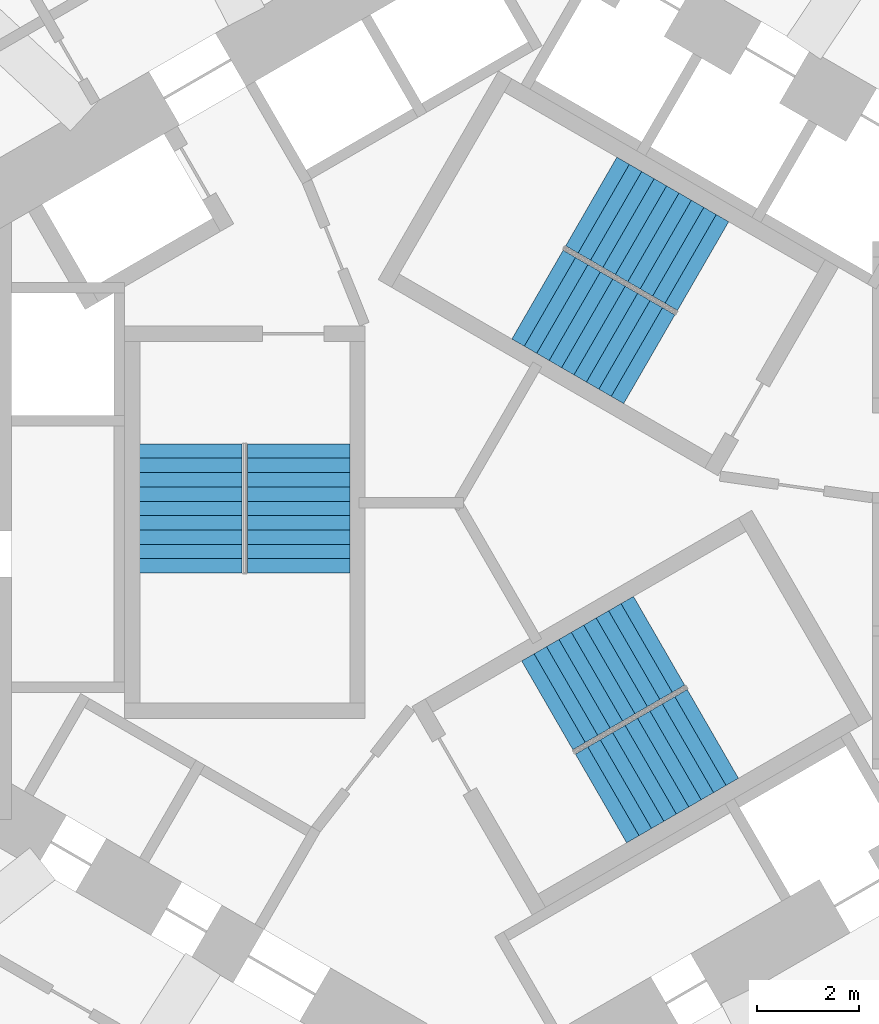
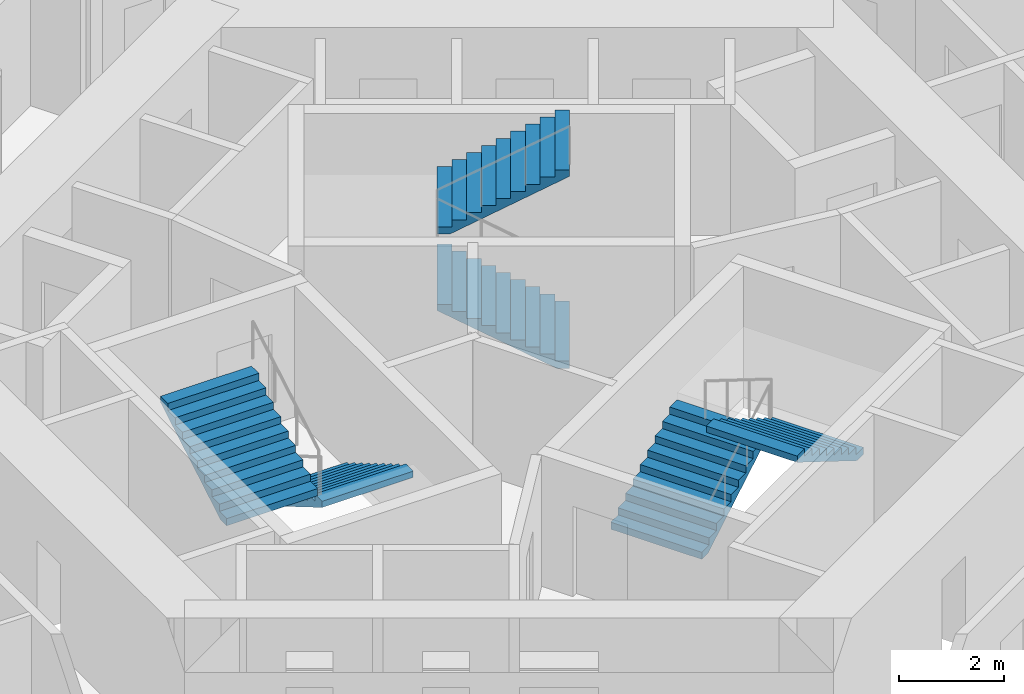
# One storey, part 10 of 12: 6 stair flights, 3 elements without a shape of their own.
"""IFC4 building model written with IfcOpenShell, lengths in metres."""

from ifc_helpers import new_model, si_unit, direction, frame, origin, place, context, subcontext, project, spatial, triangles, source, transform, mapped, material, type_object, element, aggregate, save


model = new_model("IFC4")

# Units and contexts
model_context = context("Model", 3, precision=1e-05, world=origin(), true_north=direction((0.0, 1.0)))
body_context = subcontext(model_context, "Body", "Model", "MODEL_VIEW")
ifc_project = project(units=[si_unit("LENGTHUNIT", "METRE"), si_unit("AREAUNIT", "SQUARE_METRE"), si_unit("VOLUMEUNIT", "CUBIC_METRE"), si_unit("PLANEANGLEUNIT", "RADIAN"), si_unit("MASSUNIT", "GRAM", prefix="KILO")], contexts=[model_context])

# Site, building, storey
site_placement = place(None, origin())
site = spatial("IfcSite", under=ifc_project, at=site_placement, CompositionType="ELEMENT")
building_placement = place(site_placement, origin())
building = spatial("IfcBuilding", under=site, at=building_placement, Name="Vanh Sen Convention Tower", CompositionType="ELEMENT")
storey_placement = place(building_placement, frame((0.0, 0.0, 103.39990234375)))
storey = spatial("IfcBuildingStorey", under=building, at=storey_placement, Name="L24", CompositionType="ELEMENT", Elevation=103.39990234375)

# Stair, stair flights
ifc_material_1 = material(Name="Concrete C50/60", Category="concrete")
stair_type_1 = type_object("IfcStairType", Name="Exit stair ST1 20 risers at 165.0", PredefinedType="HALF_TURN_STAIR", material=ifc_material_1)
stair_1_placement = place(storey_placement, origin())
stair_1 = element("IfcStair", 1, at=stair_1_placement, inside=storey, type_object=stair_type_1, Name="Exit stair ST1 L24", PredefinedType="HALF_TURN_STAIR")
ifc_material_2 = material(Name="Concrete C40/50", Category="concrete")
stair_flight_type = type_object("IfcStairFlightType", Name="Stair flight 2000", PredefinedType="STRAIGHT", material=ifc_material_2)
shared_shape = source(origin(), body_context, "Body", "Tessellation", [
    triangles([(0.24609375, 1.0, 0.0), (0.0, 1.0, 0.0), (0.0, 1.0, 0.1650390625), (0.280029296875, 1.0, 0.1650390625), (0.280029296875, 1.0, 0.330078125), (0.56005859375, 1.0, 0.330078125), (0.56005859375, 1.0, 0.4951171875), (0.840087890625, 1.0, 0.4951171875), (0.840087890625, 1.0, 0.659912109375), (1.1201171875, 1.0, 0.659912109375), (1.1201171875, 1.0, 0.824951171875), (1.39990234375, 1.0, 0.824951171875), (1.39990234375, 1.0, 0.989990234375), (1.679931640625, 1.0, 0.989990234375), (1.679931640625, 1.0, 1.155029296875), (1.9599609375, 1.0, 1.155029296875), (1.9599609375, 1.0, 1.320068359375), (2.239990234375, 1.0, 1.320068359375), (2.239990234375, 1.0, 1.485107421875), (2.52001953125, 1.0, 1.485107421875), (2.52001953125, 1.0, 1.33984375), (0.24609375, -1.0, 0.0), (0.0, -1.0, 0.0), (0.0, -1.0, 0.1650390625), (0.280029296875, -1.0, 0.1650390625), (0.280029296875, -1.0, 0.330078125), (0.56005859375, -1.0, 0.330078125), (0.56005859375, -1.0, 0.4951171875), (0.840087890625, -1.0, 0.4951171875), (0.840087890625, -1.0, 0.659912109375), (1.1201171875, -1.0, 0.659912109375), (1.1201171875, -1.0, 0.824951171875), (1.39990234375, -1.0, 0.824951171875), (1.39990234375, -1.0, 0.989990234375), (1.679931640625, -1.0, 0.989990234375), (1.679931640625, -1.0, 1.155029296875), (1.9599609375, -1.0, 1.155029296875), (1.9599609375, -1.0, 1.320068359375), (2.239990234375, -1.0, 1.320068359375), (2.239990234375, -1.0, 1.485107421875), (2.52001953125, -1.0, 1.485107421875), (2.52001953125, -1.0, 1.33984375), (0.0, 0.0400390625, 0.0), (0.0, 0.0390625, 0.0), (0.0, 0.0380859375, 0.0), (0.0, 0.037109375, 0.0), (0.0, 0.035888671875, 0.0), (0.0, 0.034912109375, 0.0), (0.0, 0.033935546875, 0.0), (0.0, 0.032958984375, 0.0), (0.0, 0.031982421875, 0.0), (0.0, 0.031005859375, 0.0), (0.0, 0.030029296875, 0.0), (0.0, 0.029052734375, 0.0), (0.0, 0.028076171875, 0.0), (0.0, 0.027099609375, 0.0), (0.0, 0.02587890625, 0.0), (0.0, 0.02490234375, 0.0), (0.0, 0.02392578125, 0.0), (0.0, 0.02294921875, 0.0), (0.0, 0.02197265625, 0.0), (0.0, 0.02099609375, 0.0), (0.0, 0.02001953125, 0.0), (0.0, 0.01904296875, 0.0), (0.0, 0.01806640625, 0.0), (0.0, 0.01708984375, 0.0), (0.0, 0.01611328125, 0.0), (0.0, 0.014892578125, 0.0), (0.0, 0.013916015625, 0.0), (0.0, 0.012939453125, 0.0), (0.0, 0.011962890625, 0.0), (0.0, 0.010986328125, 0.0), (0.0, 0.010009765625, 0.0), (0.0, 0.009033203125, 0.0), (0.0, 0.008056640625, 0.0), (0.0, 0.007080078125, 0.0), (0.0, 0.006103515625, 0.0), (0.0, 0.0048828125, 0.0), (0.0, 0.00390625, 0.0), (0.0, 0.0029296875, 0.0), (0.0, 0.001953125, 0.0), (0.0, 0.0009765625, 0.0), (0.0, 0.0, 0.0), (0.0, -0.0009765625, 0.0), (0.0, -0.001953125, 0.0), (0.0, -0.0029296875, 0.0), (0.0, -0.00390625, 0.0), (0.0, -0.0048828125, 0.0), (0.0, -0.006103515625, 0.0), (0.0, -0.007080078125, 0.0), (0.0, -0.008056640625, 0.0), (0.0, -0.009033203125, 0.0), (0.0, -0.010009765625, 0.0), (0.0, -0.010986328125, 0.0), (0.0, -0.011962890625, 0.0), (0.0, -0.012939453125, 0.0), (0.0, -0.013916015625, 0.0), (0.0, -0.014892578125, 0.0), (0.0, -0.01611328125, 0.0), (0.0, -0.01708984375, 0.0), (0.0, -0.01806640625, 0.0), (0.0, -0.01904296875, 0.0), (0.0, -0.02001953125, 0.0), (0.0, -0.02099609375, 0.0), (0.0, -0.02197265625, 0.0), (0.0, -0.02294921875, 0.0), (0.0, -0.02392578125, 0.0), (0.0, -0.02490234375, 0.0), (0.0, -0.02587890625, 0.0), (0.0, -0.027099609375, 0.0), (0.0, -0.028076171875, 0.0), (0.0, -0.029052734375, 0.0), (0.0, -0.030029296875, 0.0), (0.0, -0.031005859375, 0.0), (0.0, -0.031982421875, 0.0), (0.0, -0.032958984375, 0.0), (0.0, -0.033935546875, 0.0), (0.0, -0.034912109375, 0.0), (0.0, -0.035888671875, 0.0), (0.0, -0.037109375, 0.0), (0.0, -0.0380859375, 0.0), (0.0, -0.0390625, 0.0), (0.0, -0.0400390625, 0.0), (0.0, 0.0400390625, 0.1650390625), (0.0, 0.0390625, 0.1650390625), (0.0, 0.0380859375, 0.1650390625), (0.0, 0.037109375, 0.1650390625), (0.0, 0.035888671875, 0.1650390625), (0.0, 0.034912109375, 0.1650390625), (0.0, 0.033935546875, 0.1650390625), (0.0, 0.032958984375, 0.1650390625), (0.0, 0.031982421875, 0.1650390625), (0.0, 0.031005859375, 0.1650390625), (0.0, 0.030029296875, 0.1650390625), (0.0, 0.029052734375, 0.1650390625), (0.0, 0.028076171875, 0.1650390625), (0.0, 0.027099609375, 0.1650390625), (0.0, 0.02587890625, 0.1650390625), (0.0, 0.02490234375, 0.1650390625), (0.0, 0.02392578125, 0.1650390625), (0.0, 0.02294921875, 0.1650390625), (0.0, 0.02197265625, 0.1650390625), (0.0, 0.02099609375, 0.1650390625), (0.0, 0.02001953125, 0.1650390625), (0.0, 0.01904296875, 0.1650390625), (0.0, 0.01806640625, 0.1650390625), (0.0, 0.01708984375, 0.1650390625), (0.0, 0.01611328125, 0.1650390625), (0.0, 0.014892578125, 0.1650390625), (0.0, 0.013916015625, 0.1650390625), (0.0, 0.012939453125, 0.1650390625), (0.0, 0.011962890625, 0.1650390625), (0.0, 0.010986328125, 0.1650390625), (0.0, 0.010009765625, 0.1650390625), (0.0, 0.009033203125, 0.1650390625), (0.0, 0.008056640625, 0.1650390625), (0.0, 0.007080078125, 0.1650390625), (0.0, 0.006103515625, 0.1650390625), (0.0, 0.0048828125, 0.1650390625), (0.0, 0.00390625, 0.1650390625), (0.0, 0.0029296875, 0.1650390625), (0.0, 0.001953125, 0.1650390625), (0.0, 0.0009765625, 0.1650390625), (0.0, 0.0, 0.1650390625), (0.0, -0.0009765625, 0.1650390625), (0.0, -0.001953125, 0.1650390625), (0.0, -0.0029296875, 0.1650390625), (0.0, -0.00390625, 0.1650390625), (0.0, -0.0048828125, 0.1650390625), (0.0, -0.006103515625, 0.1650390625), (0.0, -0.007080078125, 0.1650390625), (0.0, -0.008056640625, 0.1650390625), (0.0, -0.009033203125, 0.1650390625), (0.0, -0.010009765625, 0.1650390625), (0.0, -0.010986328125, 0.1650390625), (0.0, -0.011962890625, 0.1650390625), (0.0, -0.012939453125, 0.1650390625), (0.0, -0.013916015625, 0.1650390625), (0.0, -0.014892578125, 0.1650390625), (0.0, -0.01611328125, 0.1650390625), (0.0, -0.01708984375, 0.1650390625), (0.0, -0.01806640625, 0.1650390625), (0.0, -0.01904296875, 0.1650390625), (0.0, -0.02001953125, 0.1650390625), (0.0, -0.02099609375, 0.1650390625), (0.0, -0.02197265625, 0.1650390625), (0.0, -0.02294921875, 0.1650390625), (0.0, -0.02392578125, 0.1650390625), (0.0, -0.02490234375, 0.1650390625), (0.0, -0.02587890625, 0.1650390625), (0.0, -0.027099609375, 0.1650390625), (0.0, -0.028076171875, 0.1650390625), (0.0, -0.029052734375, 0.1650390625), (0.0, -0.030029296875, 0.1650390625), (0.0, -0.031005859375, 0.1650390625), (0.0, -0.031982421875, 0.1650390625), (0.0, -0.032958984375, 0.1650390625), (0.0, -0.033935546875, 0.1650390625), (0.0, -0.034912109375, 0.1650390625), (0.0, -0.035888671875, 0.1650390625), (0.0, -0.037109375, 0.1650390625), (0.0, -0.0380859375, 0.1650390625), (0.0, -0.0390625, 0.1650390625), (0.0, -0.0400390625, 0.1650390625), (0.280029296875, 0.0, 0.1650390625), (0.280029296875, 0.0, 0.330078125), (0.56005859375, 0.0, 0.330078125), (0.56005859375, 0.0, 0.4951171875), (0.840087890625, 0.0, 0.4951171875), (0.840087890625, 0.0, 0.659912109375), (1.1201171875, 0.0, 0.659912109375), (1.1201171875, 0.0, 0.824951171875), (1.39990234375, 0.0, 0.824951171875), (1.39990234375, 0.0, 0.989990234375), (1.679931640625, 0.0, 0.989990234375), (1.679931640625, 0.0, 1.155029296875), (1.9599609375, 0.0, 1.155029296875), (1.9599609375, 0.0, 1.320068359375), (2.239990234375, 0.0, 1.320068359375), (2.239990234375, 0.0, 1.485107421875), (2.52001953125, 0.0400390625, 1.485107421875), (2.52001953125, 0.0390625, 1.485107421875), (2.52001953125, 0.0380859375, 1.485107421875), (2.52001953125, 0.037109375, 1.485107421875), (2.52001953125, 0.035888671875, 1.485107421875), (2.52001953125, 0.034912109375, 1.485107421875), (2.52001953125, 0.033935546875, 1.485107421875), (2.52001953125, 0.032958984375, 1.485107421875), (2.52001953125, 0.031982421875, 1.485107421875), (2.52001953125, 0.031005859375, 1.485107421875), (2.52001953125, 0.030029296875, 1.485107421875), (2.52001953125, 0.029052734375, 1.485107421875), (2.52001953125, 0.028076171875, 1.485107421875), (2.52001953125, 0.027099609375, 1.485107421875), (2.52001953125, 0.02587890625, 1.485107421875), (2.52001953125, 0.02490234375, 1.485107421875), (2.52001953125, 0.02392578125, 1.485107421875), (2.52001953125, 0.02294921875, 1.485107421875), (2.52001953125, 0.02197265625, 1.485107421875), (2.52001953125, 0.02099609375, 1.485107421875), (2.52001953125, 0.02001953125, 1.485107421875), (2.52001953125, 0.01904296875, 1.485107421875), (2.52001953125, 0.01806640625, 1.485107421875), (2.52001953125, 0.01708984375, 1.485107421875), (2.52001953125, 0.01611328125, 1.485107421875), (2.52001953125, 0.014892578125, 1.485107421875), (2.52001953125, 0.013916015625, 1.485107421875), (2.52001953125, 0.012939453125, 1.485107421875), (2.52001953125, 0.011962890625, 1.485107421875), (2.52001953125, 0.010986328125, 1.485107421875), (2.52001953125, 0.010009765625, 1.485107421875), (2.52001953125, 0.009033203125, 1.485107421875), (2.52001953125, 0.008056640625, 1.485107421875), (2.52001953125, 0.007080078125, 1.485107421875), (2.52001953125, 0.006103515625, 1.485107421875), (2.52001953125, 0.0048828125, 1.485107421875), (2.52001953125, 0.00390625, 1.485107421875), (2.52001953125, 0.0029296875, 1.485107421875), (2.52001953125, 0.001953125, 1.485107421875), (2.52001953125, 0.0009765625, 1.485107421875), (2.52001953125, 0.0, 1.485107421875), (2.52001953125, -0.0009765625, 1.485107421875), (2.52001953125, -0.001953125, 1.485107421875), (2.52001953125, -0.0029296875, 1.485107421875), (2.52001953125, -0.00390625, 1.485107421875), (2.52001953125, -0.0048828125, 1.485107421875), (2.52001953125, -0.006103515625, 1.485107421875), (2.52001953125, -0.007080078125, 1.485107421875), (2.52001953125, -0.008056640625, 1.485107421875), (2.52001953125, -0.009033203125, 1.485107421875), (2.52001953125, -0.010009765625, 1.485107421875), (2.52001953125, -0.010986328125, 1.485107421875), (2.52001953125, -0.011962890625, 1.485107421875), (2.52001953125, -0.012939453125, 1.485107421875), (2.52001953125, -0.013916015625, 1.485107421875), (2.52001953125, -0.014892578125, 1.485107421875), (2.52001953125, -0.01611328125, 1.485107421875), (2.52001953125, -0.01708984375, 1.485107421875), (2.52001953125, -0.01806640625, 1.485107421875), (2.52001953125, -0.01904296875, 1.485107421875), (2.52001953125, -0.02001953125, 1.485107421875), (2.52001953125, -0.02099609375, 1.485107421875), (2.52001953125, -0.02197265625, 1.485107421875), (2.52001953125, -0.02294921875, 1.485107421875), (2.52001953125, -0.02392578125, 1.485107421875), (2.52001953125, -0.02490234375, 1.485107421875), (2.52001953125, -0.02587890625, 1.485107421875), (2.52001953125, -0.027099609375, 1.485107421875), (2.52001953125, -0.028076171875, 1.485107421875), (2.52001953125, -0.029052734375, 1.485107421875), (2.52001953125, -0.030029296875, 1.485107421875), (2.52001953125, -0.031005859375, 1.485107421875), (2.52001953125, -0.031982421875, 1.485107421875), (2.52001953125, -0.032958984375, 1.485107421875), (2.52001953125, -0.033935546875, 1.485107421875), (2.52001953125, -0.034912109375, 1.485107421875), (2.52001953125, -0.035888671875, 1.485107421875), (2.52001953125, -0.037109375, 1.485107421875), (2.52001953125, -0.0380859375, 1.485107421875), (2.52001953125, -0.0390625, 1.485107421875), (2.52001953125, -0.0400390625, 1.485107421875), (2.52001953125, 0.0400390625, 1.33984375), (2.52001953125, 0.0390625, 1.33984375), (2.52001953125, 0.0380859375, 1.33984375), (2.52001953125, 0.037109375, 1.33984375), (2.52001953125, 0.035888671875, 1.33984375), (2.52001953125, 0.034912109375, 1.33984375), (2.52001953125, 0.033935546875, 1.33984375), (2.52001953125, 0.032958984375, 1.33984375), (2.52001953125, 0.031982421875, 1.33984375), (2.52001953125, 0.031005859375, 1.33984375), (2.52001953125, 0.030029296875, 1.33984375), (2.52001953125, 0.029052734375, 1.33984375), (2.52001953125, 0.028076171875, 1.33984375), (2.52001953125, 0.027099609375, 1.33984375), (2.52001953125, 0.02587890625, 1.33984375), (2.52001953125, 0.02490234375, 1.33984375), (2.52001953125, 0.02392578125, 1.33984375), (2.52001953125, 0.02294921875, 1.33984375), (2.52001953125, 0.02197265625, 1.33984375), (2.52001953125, 0.02099609375, 1.33984375), (2.52001953125, 0.02001953125, 1.33984375), (2.52001953125, 0.01904296875, 1.33984375), (2.52001953125, 0.01806640625, 1.33984375), (2.52001953125, 0.01708984375, 1.33984375), (2.52001953125, 0.01611328125, 1.33984375), (2.52001953125, 0.014892578125, 1.33984375), (2.52001953125, 0.013916015625, 1.33984375), (2.52001953125, 0.012939453125, 1.33984375), (2.52001953125, 0.011962890625, 1.33984375), (2.52001953125, 0.010986328125, 1.33984375), (2.52001953125, 0.010009765625, 1.33984375), (2.52001953125, 0.009033203125, 1.33984375), (2.52001953125, 0.008056640625, 1.33984375), (2.52001953125, 0.007080078125, 1.33984375), (2.52001953125, 0.006103515625, 1.33984375), (2.52001953125, 0.0048828125, 1.33984375), (2.52001953125, 0.00390625, 1.33984375), (2.52001953125, 0.0029296875, 1.33984375), (2.52001953125, 0.001953125, 1.33984375), (2.52001953125, 0.0009765625, 1.33984375), (2.52001953125, 0.0, 1.33984375), (2.52001953125, -0.0009765625, 1.33984375), (2.52001953125, -0.001953125, 1.33984375), (2.52001953125, -0.0029296875, 1.33984375), (2.52001953125, -0.00390625, 1.33984375), (2.52001953125, -0.0048828125, 1.33984375), (2.52001953125, -0.006103515625, 1.33984375), (2.52001953125, -0.007080078125, 1.33984375), (2.52001953125, -0.008056640625, 1.33984375), (2.52001953125, -0.009033203125, 1.33984375), (2.52001953125, -0.010009765625, 1.33984375), (2.52001953125, -0.010986328125, 1.33984375), (2.52001953125, -0.011962890625, 1.33984375), (2.52001953125, -0.012939453125, 1.33984375), (2.52001953125, -0.013916015625, 1.33984375), (2.52001953125, -0.014892578125, 1.33984375), (2.52001953125, -0.01611328125, 1.33984375), (2.52001953125, -0.01708984375, 1.33984375), (2.52001953125, -0.01806640625, 1.33984375), (2.52001953125, -0.01904296875, 1.33984375), (2.52001953125, -0.02001953125, 1.33984375), (2.52001953125, -0.02099609375, 1.33984375), (2.52001953125, -0.02197265625, 1.33984375), (2.52001953125, -0.02294921875, 1.33984375), (2.52001953125, -0.02392578125, 1.33984375), (2.52001953125, -0.02490234375, 1.33984375), (2.52001953125, -0.02587890625, 1.33984375), (2.52001953125, -0.027099609375, 1.33984375), (2.52001953125, -0.028076171875, 1.33984375), (2.52001953125, -0.029052734375, 1.33984375), (2.52001953125, -0.030029296875, 1.33984375), (2.52001953125, -0.031005859375, 1.33984375), (2.52001953125, -0.031982421875, 1.33984375), (2.52001953125, -0.032958984375, 1.33984375), (2.52001953125, -0.033935546875, 1.33984375), (2.52001953125, -0.034912109375, 1.33984375), (2.52001953125, -0.035888671875, 1.33984375), (2.52001953125, -0.037109375, 1.33984375), (2.52001953125, -0.0380859375, 1.33984375), (2.52001953125, -0.0390625, 1.33984375), (2.52001953125, -0.0400390625, 1.33984375), (0.24609375, 0.0, 0.0)], [[1, 2, 3], [1, 3, 4], [4, 5, 6], [1, 4, 6], [6, 7, 8], [1, 6, 8], [8, 9, 10], [1, 8, 10], [10, 11, 12], [1, 10, 12], [12, 13, 14], [1, 12, 14], [14, 15, 16], [1, 14, 16], [16, 17, 18], [1, 16, 18], [18, 19, 20], [1, 18, 20], [20, 21, 1], [22, 24, 23], [22, 25, 24], [25, 27, 26], [22, 27, 25], [27, 29, 28], [22, 29, 27], [29, 31, 30], [22, 31, 29], [31, 33, 32], [22, 33, 31], [33, 35, 34], [22, 35, 33], [35, 37, 36], [22, 37, 35], [37, 39, 38], [22, 39, 37], [39, 41, 40], [22, 41, 39], [41, 22, 42], [2, 124, 3], [2, 43, 124], [43, 125, 124], [43, 44, 125], [44, 126, 125], [44, 45, 126], [45, 127, 126], [45, 46, 127], [46, 128, 127], [46, 47, 128], [47, 129, 128], [47, 48, 129], [48, 130, 129], [48, 49, 130], [49, 131, 130], [49, 50, 131], [50, 132, 131], [50, 51, 132], [51, 133, 132], [51, 52, 133], [52, 134, 133], [52, 53, 134], [53, 135, 134], [53, 54, 135], [54, 136, 135], [54, 55, 136], [55, 137, 136], [55, 56, 137], [56, 138, 137], [56, 57, 138], [57, 139, 138], [57, 58, 139], [58, 140, 139], [58, 59, 140], [59, 141, 140], [59, 60, 141], [60, 142, 141], [60, 61, 142], [61, 143, 142], [61, 62, 143], [62, 144, 143], [62, 63, 144], [63, 145, 144], [63, 64, 145], [64, 146, 145], [64, 65, 146], [65, 147, 146], [65, 66, 147], [66, 148, 147], [66, 67, 148], [67, 149, 148], [67, 68, 149], [68, 150, 149], [68, 69, 150], [69, 151, 150], [69, 70, 151], [70, 152, 151], [70, 71, 152], [71, 153, 152], [71, 72, 153], [72, 154, 153], [72, 73, 154], [73, 155, 154], [73, 74, 155], [74, 156, 155], [74, 75, 156], [75, 157, 156], [75, 76, 157], [76, 158, 157], [76, 77, 158], [77, 159, 158], [77, 78, 159], [78, 160, 159], [78, 79, 160], [79, 161, 160], [79, 80, 161], [80, 162, 161], [80, 81, 162], [81, 163, 162], [81, 82, 163], [82, 164, 163], [82, 83, 164], [83, 84, 164], [164, 84, 165], [84, 85, 165], [165, 85, 166], [85, 86, 166], [166, 86, 167], [86, 87, 167], [167, 87, 168], [87, 88, 168], [168, 88, 169], [88, 89, 169], [169, 89, 170], [89, 90, 170], [170, 90, 171], [90, 91, 171], [171, 91, 172], [91, 92, 172], [172, 92, 173], [92, 93, 173], [173, 93, 174], [93, 94, 174], [174, 94, 175], [94, 95, 175], [175, 95, 176], [95, 96, 176], [176, 96, 177], [96, 97, 177], [177, 97, 178], [97, 98, 178], [178, 98, 179], [98, 99, 179], [179, 99, 180], [99, 100, 180], [180, 100, 181], [100, 101, 181], [181, 101, 182], [101, 102, 182], [182, 102, 183], [102, 103, 183], [183, 103, 184], [103, 104, 184], [184, 104, 185], [104, 105, 185], [185, 105, 186], [105, 106, 186], [186, 106, 187], [106, 107, 187], [187, 107, 188], [107, 108, 188], [188, 108, 189], [108, 109, 189], [189, 109, 190], [109, 110, 190], [190, 110, 191], [110, 111, 191], [191, 111, 192], [111, 112, 192], [192, 112, 193], [112, 113, 193], [193, 113, 194], [113, 114, 194], [194, 114, 195], [114, 115, 195], [195, 115, 196], [115, 116, 196], [196, 116, 197], [116, 117, 197], [197, 117, 198], [117, 118, 198], [198, 118, 199], [118, 119, 199], [199, 119, 200], [119, 120, 200], [200, 120, 201], [120, 121, 201], [201, 121, 202], [121, 122, 202], [202, 122, 203], [122, 123, 203], [203, 123, 204], [123, 23, 204], [204, 23, 24], [4, 3, 124], [4, 124, 125], [4, 125, 126], [4, 126, 127], [4, 127, 128], [4, 128, 129], [4, 129, 130], [4, 130, 131], [4, 131, 132], [4, 132, 133], [4, 133, 134], [4, 134, 135], [4, 135, 136], [4, 136, 137], [4, 137, 138], [4, 138, 139], [4, 139, 140], [4, 140, 141], [4, 141, 142], [4, 142, 143], [4, 143, 144], [4, 144, 145], [4, 145, 146], [4, 146, 147], [4, 147, 148], [4, 148, 149], [4, 149, 150], [4, 150, 151], [4, 151, 152], [4, 152, 153], [4, 153, 154], [4, 154, 155], [4, 155, 156], [4, 156, 157], [4, 157, 158], [4, 158, 159], [4, 159, 160], [4, 160, 161], [4, 161, 162], [4, 162, 163], [4, 163, 164], [25, 164, 165], [25, 165, 166], [25, 166, 167], [25, 167, 168], [25, 168, 169], [25, 169, 170], [25, 170, 171], [25, 171, 172], [25, 172, 173], [25, 173, 174], [25, 174, 175], [25, 175, 176], [25, 176, 177], [25, 177, 178], [25, 178, 179], [25, 179, 180], [25, 180, 181], [25, 181, 182], [25, 182, 183], [25, 183, 184], [25, 184, 185], [25, 185, 186], [25, 186, 187], [25, 187, 188], [25, 188, 189], [25, 189, 190], [25, 190, 191], [25, 191, 192], [25, 192, 193], [25, 193, 194], [25, 194, 195], [25, 195, 196], [25, 196, 197], [25, 197, 198], [25, 198, 199], [25, 199, 200], [25, 200, 201], [25, 201, 202], [25, 202, 203], [25, 203, 204], [25, 204, 24], [4, 164, 205], [25, 205, 164], [4, 206, 5], [4, 205, 206], [205, 25, 206], [206, 25, 26], [5, 207, 6], [5, 206, 207], [206, 26, 207], [207, 26, 27], [6, 208, 7], [6, 207, 208], [207, 27, 208], [208, 27, 28], [7, 209, 8], [7, 208, 209], [208, 28, 209], [209, 28, 29], [8, 210, 9], [8, 209, 210], [209, 29, 210], [210, 29, 30], [9, 211, 10], [9, 210, 211], [210, 30, 211], [211, 30, 31], [10, 212, 11], [10, 211, 212], [211, 31, 212], [212, 31, 32], [11, 213, 12], [11, 212, 213], [212, 32, 213], [213, 32, 33], [12, 214, 13], [12, 213, 214], [213, 33, 214], [214, 33, 34], [13, 215, 14], [13, 214, 215], [214, 34, 215], [215, 34, 35], [14, 216, 15], [14, 215, 216], [215, 35, 216], [216, 35, 36], [15, 217, 16], [15, 216, 217], [216, 36, 217], [217, 36, 37], [16, 218, 17], [16, 217, 218], [217, 37, 218], [218, 37, 38], [17, 219, 18], [17, 218, 219], [218, 38, 219], [219, 38, 39], [18, 220, 19], [18, 219, 220], [219, 39, 220], [220, 39, 40], [19, 221, 20], [19, 222, 221], [19, 223, 222], [19, 224, 223], [19, 225, 224], [19, 226, 225], [19, 227, 226], [19, 228, 227], [19, 229, 228], [19, 230, 229], [19, 231, 230], [19, 232, 231], [19, 233, 232], [19, 234, 233], [19, 235, 234], [19, 236, 235], [19, 237, 236], [19, 238, 237], [19, 239, 238], [19, 240, 239], [19, 241, 240], [19, 242, 241], [19, 243, 242], [19, 244, 243], [19, 245, 244], [19, 246, 245], [19, 247, 246], [19, 248, 247], [19, 249, 248], [19, 250, 249], [19, 251, 250], [19, 252, 251], [19, 253, 252], [19, 254, 253], [19, 255, 254], [19, 256, 255], [19, 257, 256], [19, 258, 257], [19, 259, 258], [19, 260, 259], [19, 261, 260], [40, 262, 261], [40, 263, 262], [40, 264, 263], [40, 265, 264], [40, 266, 265], [40, 267, 266], [40, 268, 267], [40, 269, 268], [40, 270, 269], [40, 271, 270], [40, 272, 271], [40, 273, 272], [40, 274, 273], [40, 275, 274], [40, 276, 275], [40, 277, 276], [40, 278, 277], [40, 279, 278], [40, 280, 279], [40, 281, 280], [40, 282, 281], [40, 283, 282], [40, 284, 283], [40, 285, 284], [40, 286, 285], [40, 287, 286], [40, 288, 287], [40, 289, 288], [40, 290, 289], [40, 291, 290], [40, 292, 291], [40, 293, 292], [40, 294, 293], [40, 295, 294], [40, 296, 295], [40, 297, 296], [40, 298, 297], [40, 299, 298], [40, 300, 299], [40, 301, 300], [40, 41, 301], [19, 220, 261], [40, 261, 220], [20, 302, 21], [20, 221, 302], [221, 303, 302], [221, 222, 303], [222, 304, 303], [222, 223, 304], [223, 305, 304], [223, 224, 305], [224, 306, 305], [224, 225, 306], [225, 307, 306], [225, 226, 307], [226, 308, 307], [226, 227, 308], [227, 309, 308], [227, 228, 309], [228, 310, 309], [228, 229, 310], [229, 311, 310], [229, 230, 311], [230, 312, 311], [230, 231, 312], [231, 313, 312], [231, 232, 313], [232, 314, 313], [232, 233, 314], [233, 315, 314], [233, 234, 315], [234, 316, 315], [234, 235, 316], [235, 317, 316], [235, 236, 317], [236, 318, 317], [236, 237, 318], [237, 319, 318], [237, 238, 319], [238, 320, 319], [238, 239, 320], [239, 321, 320], [239, 240, 321], [240, 322, 321], [240, 241, 322], [241, 323, 322], [241, 242, 323], [242, 324, 323], [242, 243, 324], [243, 325, 324], [243, 244, 325], [244, 326, 325], [244, 245, 326], [245, 327, 326], [245, 246, 327], [246, 328, 327], [246, 247, 328], [247, 329, 328], [247, 248, 329], [248, 330, 329], [248, 249, 330], [249, 331, 330], [249, 250, 331], [250, 332, 331], [250, 251, 332], [251, 333, 332], [251, 252, 333], [252, 334, 333], [252, 253, 334], [253, 335, 334], [253, 254, 335], [254, 336, 335], [254, 255, 336], [255, 337, 336], [255, 256, 337], [256, 338, 337], [256, 257, 338], [257, 339, 338], [257, 258, 339], [258, 340, 339], [258, 259, 340], [259, 341, 340], [259, 260, 341], [260, 342, 341], [260, 261, 342], [261, 262, 342], [342, 262, 343], [262, 263, 343], [343, 263, 344], [263, 264, 344], [344, 264, 345], [264, 265, 345], [345, 265, 346], [265, 266, 346], [346, 266, 347], [266, 267, 347], [347, 267, 348], [267, 268, 348], [348, 268, 349], [268, 269, 349], [349, 269, 350], [269, 270, 350], [350, 270, 351], [270, 271, 351], [351, 271, 352], [271, 272, 352], [352, 272, 353], [272, 273, 353], [353, 273, 354], [273, 274, 354], [354, 274, 355], [274, 275, 355], [355, 275, 356], [275, 276, 356], [356, 276, 357], [276, 277, 357], [357, 277, 358], [277, 278, 358], [358, 278, 359], [278, 279, 359], [359, 279, 360], [279, 280, 360], [360, 280, 361], [280, 281, 361], [361, 281, 362], [281, 282, 362], [362, 282, 363], [282, 283, 363], [363, 283, 364], [283, 284, 364], [364, 284, 365], [284, 285, 365], [365, 285, 366], [285, 286, 366], [366, 286, 367], [286, 287, 367], [367, 287, 368], [287, 288, 368], [368, 288, 369], [288, 289, 369], [369, 289, 370], [289, 290, 370], [370, 290, 371], [290, 291, 371], [371, 291, 372], [291, 292, 372], [372, 292, 373], [292, 293, 373], [373, 293, 374], [293, 294, 374], [374, 294, 375], [294, 295, 375], [375, 295, 376], [295, 296, 376], [376, 296, 377], [296, 297, 377], [377, 297, 378], [297, 298, 378], [378, 298, 379], [298, 299, 379], [379, 299, 380], [299, 300, 380], [380, 300, 381], [300, 301, 381], [381, 301, 382], [301, 41, 382], [382, 41, 42], [1, 21, 302], [1, 302, 303], [1, 303, 304], [1, 304, 305], [1, 305, 306], [1, 306, 307], [1, 307, 308], [1, 308, 309], [1, 309, 310], [1, 310, 311], [1, 311, 312], [1, 312, 313], [1, 313, 314], [1, 314, 315], [1, 315, 316], [1, 316, 317], [1, 317, 318], [1, 318, 319], [1, 319, 320], [1, 320, 321], [1, 321, 322], [1, 322, 323], [1, 323, 324], [1, 324, 325], [1, 325, 326], [1, 326, 327], [1, 327, 328], [1, 328, 329], [1, 329, 330], [1, 330, 331], [1, 331, 332], [1, 332, 333], [1, 333, 334], [1, 334, 335], [1, 335, 336], [1, 336, 337], [1, 337, 338], [1, 338, 339], [1, 339, 340], [1, 340, 341], [1, 341, 342], [22, 342, 343], [22, 343, 344], [22, 344, 345], [22, 345, 346], [22, 346, 347], [22, 347, 348], [22, 348, 349], [22, 349, 350], [22, 350, 351], [22, 351, 352], [22, 352, 353], [22, 353, 354], [22, 354, 355], [22, 355, 356], [22, 356, 357], [22, 357, 358], [22, 358, 359], [22, 359, 360], [22, 360, 361], [22, 361, 362], [22, 362, 363], [22, 363, 364], [22, 364, 365], [22, 365, 366], [22, 366, 367], [22, 367, 368], [22, 368, 369], [22, 369, 370], [22, 370, 371], [22, 371, 372], [22, 372, 373], [22, 373, 374], [22, 374, 375], [22, 375, 376], [22, 376, 377], [22, 377, 378], [22, 378, 379], [22, 379, 380], [22, 380, 381], [22, 381, 382], [22, 382, 42], [1, 342, 383], [22, 383, 342], [1, 43, 2], [1, 44, 43], [1, 45, 44], [1, 46, 45], [1, 47, 46], [1, 48, 47], [1, 49, 48], [1, 50, 49], [1, 51, 50], [1, 52, 51], [1, 53, 52], [1, 54, 53], [1, 55, 54], [1, 56, 55], [1, 57, 56], [1, 58, 57], [1, 59, 58], [1, 60, 59], [1, 61, 60], [1, 62, 61], [1, 63, 62], [1, 64, 63], [1, 65, 64], [1, 66, 65], [1, 67, 66], [1, 68, 67], [1, 69, 68], [1, 70, 69], [1, 71, 70], [1, 72, 71], [1, 73, 72], [1, 74, 73], [1, 75, 74], [1, 76, 75], [1, 77, 76], [1, 78, 77], [1, 79, 78], [1, 80, 79], [1, 81, 80], [1, 82, 81], [1, 83, 82], [22, 84, 83], [22, 85, 84], [22, 86, 85], [22, 87, 86], [22, 88, 87], [22, 89, 88], [22, 90, 89], [22, 91, 90], [22, 92, 91], [22, 93, 92], [22, 94, 93], [22, 95, 94], [22, 96, 95], [22, 97, 96], [22, 98, 97], [22, 99, 98], [22, 100, 99], [22, 101, 100], [22, 102, 101], [22, 103, 102], [22, 104, 103], [22, 105, 104], [22, 106, 105], [22, 107, 106], [22, 108, 107], [22, 109, 108], [22, 110, 109], [22, 111, 110], [22, 112, 111], [22, 113, 112], [22, 114, 113], [22, 115, 114], [22, 116, 115], [22, 117, 116], [22, 118, 117], [22, 119, 118], [22, 120, 119], [22, 121, 120], [22, 122, 121], [22, 123, 122], [22, 23, 123], [1, 383, 83], [22, 83, 383]], closed=True),
])
stair_flight_1_placement = place(storey_placement, frame((2.94580078125, 2.802490234375, 0.0), z_axis=(0.0, 0.0, 1.0), x_axis=(-0.866025403784, 0.5, 0.0)))
stair_flight_1 = element("IfcStairFlight", 2, at=stair_flight_1_placement, type_object=stair_flight_type, Name="ST1 flight 1", NumberOfRisers=10, NumberOfTreads=9, PredefinedType="STRAIGHT", RiserHeight=0.165, TreadLength=0.28, context=body_context, shape_type="MappedRepresentation", body=[
    mapped(shared_shape, transform((0.0, 0.0, 0.0))),
])
stair_flight_2_placement = place(storey_placement, frame((1.8134765625, 5.881103515625, 1.650146484375), z_axis=(0.0, 0.0, 1.0), x_axis=(0.866025403784, -0.5, 0.0)))
stair_flight_2 = element("IfcStairFlight", 3, at=stair_flight_2_placement, type_object=stair_flight_type, Name="ST1 flight 2", NumberOfRisers=10, NumberOfTreads=9, PredefinedType="STRAIGHT", RiserHeight=0.165, TreadLength=0.28, context=body_context, shape_type="MappedRepresentation", body=[
    mapped(shared_shape, transform((0.0, 0.0, 0.0))),
])
aggregate(stair_1, [stair_flight_1, stair_flight_2])

stair_type_2 = type_object("IfcStairType", Name="Exit stair ST2 20 risers at 165.0", PredefinedType="HALF_TURN_STAIR", material=ifc_material_1)
stair_2_placement = place(storey_placement, origin())
stair_2 = element("IfcStair", 4, at=stair_2_placement, inside=storey, type_object=stair_type_2, Name="Exit stair ST2 L24", PredefinedType="HALF_TURN_STAIR")
stair_flight_3_placement = place(storey_placement, frame((-3.89990234375, 1.14990234375, 0.0), z_axis=(0.0, 0.0, 1.0), x_axis=(0.0, -1.0, 0.0)))
stair_flight_3 = element("IfcStairFlight", 5, at=stair_flight_3_placement, type_object=stair_flight_type, Name="ST2 flight 1", NumberOfRisers=10, NumberOfTreads=9, PredefinedType="STRAIGHT", RiserHeight=0.165, TreadLength=0.28, context=body_context, shape_type="MappedRepresentation", body=[
    mapped(shared_shape, transform((0.0, 0.0, 0.0))),
])
stair_flight_4_placement = place(storey_placement, frame((-6.0, -1.3701171875, 1.650146484375), z_axis=(0.0, 0.0, 1.0), x_axis=(0.0, 1.0, 0.0)))
stair_flight_4 = element("IfcStairFlight", 6, at=stair_flight_4_placement, type_object=stair_flight_type, Name="ST2 flight 2", NumberOfRisers=10, NumberOfTreads=9, PredefinedType="STRAIGHT", RiserHeight=0.165, TreadLength=0.28, context=body_context, shape_type="MappedRepresentation", body=[
    mapped(shared_shape, transform((0.0, 0.0, 0.0))),
])
aggregate(stair_2, [stair_flight_3, stair_flight_4])

stair_type_3 = type_object("IfcStairType", Name="Exit stair ST3 20 risers at 165.0", PredefinedType="HALF_TURN_STAIR", material=ifc_material_1)
stair_3_placement = place(storey_placement, origin())
stair_3 = element("IfcStair", 7, at=stair_3_placement, inside=storey, type_object=stair_type_3, Name="Exit stair ST3 L24", PredefinedType="HALF_TURN_STAIR")
stair_flight_5_placement = place(storey_placement, frame((0.9541015625, -3.952392578125, 0.0), z_axis=(0.0, 0.0, 1.0), x_axis=(0.866025403784, 0.5, 0.0)))
stair_flight_5 = element("IfcStairFlight", 8, at=stair_flight_5_placement, type_object=stair_flight_type, Name="ST3 flight 1", NumberOfRisers=10, NumberOfTreads=9, PredefinedType="STRAIGHT", RiserHeight=0.165, TreadLength=0.28, context=body_context, shape_type="MappedRepresentation", body=[
    mapped(shared_shape, transform((0.0, 0.0, 0.0))),
])
stair_flight_6_placement = place(storey_placement, frame((4.1865234375, -4.51123046875, 1.650146484375), z_axis=(0.0, 0.0, 1.0), x_axis=(-0.866025403784, -0.5, 0.0)))
stair_flight_6 = element("IfcStairFlight", 9, at=stair_flight_6_placement, type_object=stair_flight_type, Name="ST3 flight 2", NumberOfRisers=10, NumberOfTreads=9, PredefinedType="STRAIGHT", RiserHeight=0.165, TreadLength=0.28, context=body_context, shape_type="MappedRepresentation", body=[
    mapped(shared_shape, transform((0.0, 0.0, 0.0))),
])
aggregate(stair_3, [stair_flight_5, stair_flight_6])

save(model, "model.ifc")
